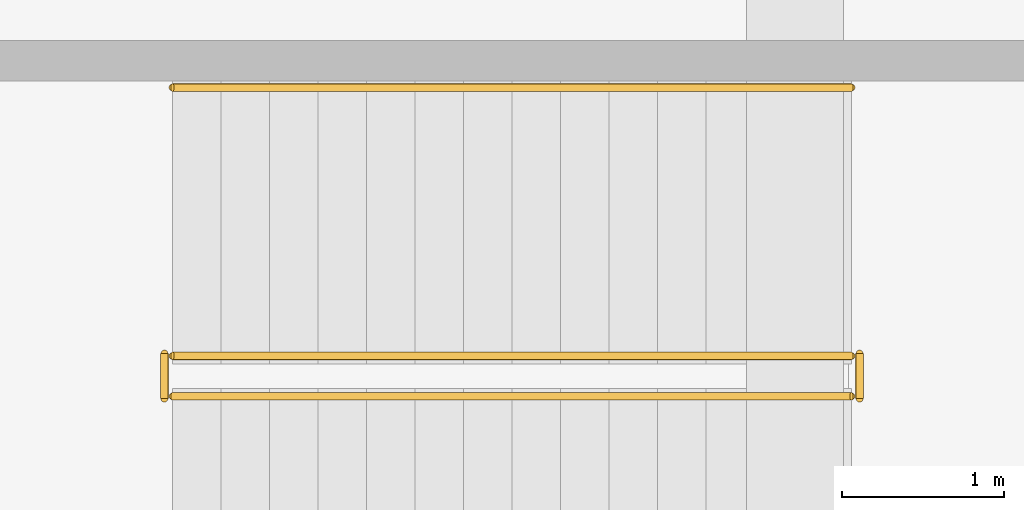
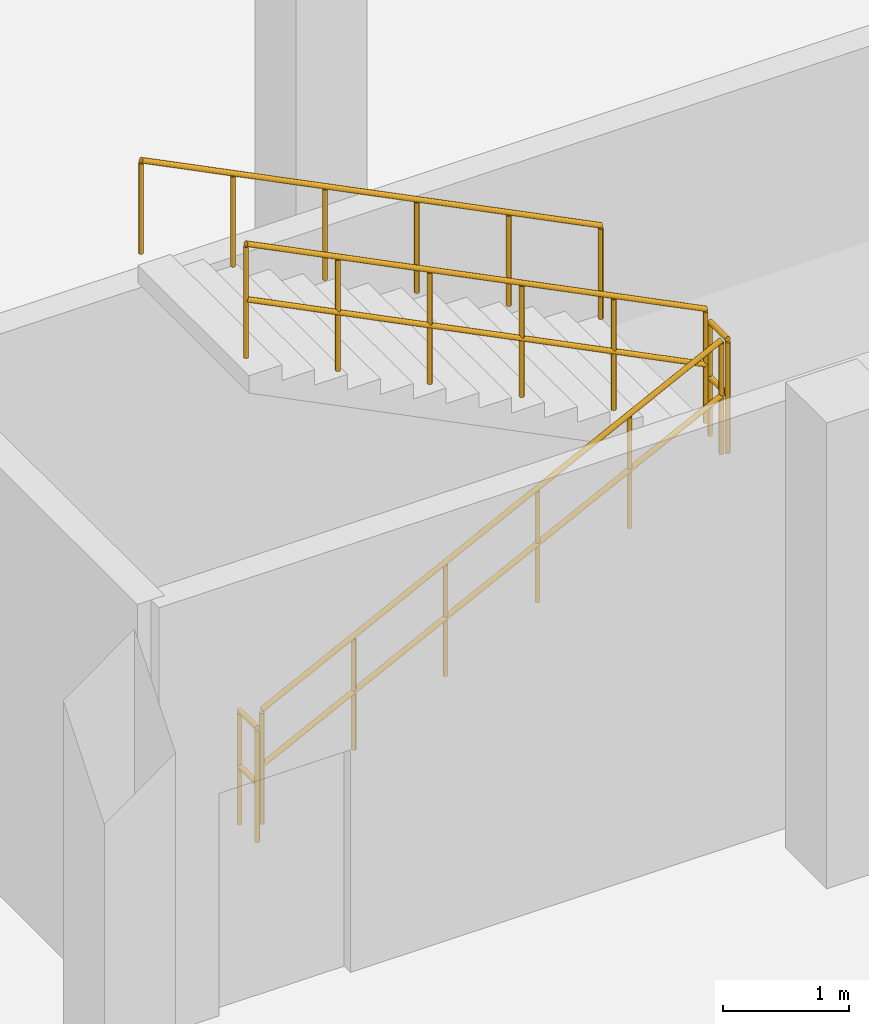
# One storey, part 34 of 35: 5 railings.
"""IFC4 building model written with IfcOpenShell, lengths in metres."""

from ifc_helpers import new_model, si_unit, direction, frame, origin, origin_2d, place, context, subcontext, project, spatial, circle, extrude, material, type_object, element, save


model = new_model("IFC4")

# Units and contexts
model_context = context("Model", 3, precision=1e-05, world=origin(), true_north=direction((0.0, 1.0)))
body_context = subcontext(model_context, "Body", "Model", "MODEL_VIEW")
ifc_project = project(units=[si_unit("LENGTHUNIT", "METRE"), si_unit("AREAUNIT", "SQUARE_METRE"), si_unit("VOLUMEUNIT", "CUBIC_METRE"), si_unit("PLANEANGLEUNIT", "RADIAN"), si_unit("MASSUNIT", "GRAM", prefix="KILO")], contexts=[model_context])

# Site, building, storey
site_placement = place(None, origin())
site = spatial("IfcSite", under=ifc_project, at=site_placement, CompositionType="ELEMENT")
building_placement = place(site_placement, origin())
building = spatial("IfcBuilding", under=site, at=building_placement, Name="Kalluvel Institute of Natural Sciences", CompositionType="ELEMENT")
storey_placement = place(building_placement, frame((0.0, 0.0, -4.5)))
storey = spatial("IfcBuildingStorey", under=building, at=storey_placement, Name="B1", CompositionType="ELEMENT", Elevation=-4.5)

# Railings
ifc_material = material(Name="Galvanized Fire-Rated Steel", Category="steel")
railing_type_1 = type_object("IfcRailingType", Name="RL-GD-STAIR", PredefinedType="BALUSTRADE", material=ifc_material)
railing_1_placement = place(storey_placement, frame((151.75, 113.7099609375, 0.14990234375)))
element("IfcRailing", 1, at=railing_1_placement, inside=storey, type_object=railing_type_1, Name="B1 ST5 stair guard 1", PredefinedType="BALUSTRADE", context=body_context, shape_type="SweptSolid", body=[
    extrude(circle(Radius=0.02392578125, at=origin_2d()), frame((0.0, 0.0, 1.09619140625), z_axis=(0.894416792377, 0.0, 0.447234392142), x_axis=(0.0, 1.0, 0.0)), (0.0, 0.0, 1.0), 4.69580078125),
    extrude(circle(Radius=0.02392578125, at=origin_2d()), frame((0.0, 0.0, 0.56005859375), z_axis=(0.894416792377, 0.0, 0.447234392142), x_axis=(0.0, 1.0, 0.0)), (0.0, 0.0, 1.0), 4.69580078125),
    extrude(circle(Radius=0.02099609375, at=origin_2d()), origin(), (0.0, 0.0, 1.0), 1.072021484375),
    extrude(circle(Radius=0.02099609375, at=origin_2d()), frame((0.840087890625, 0.0, 0.419921875)), (0.0, 0.0, 1.0), 1.072021484375),
    extrude(circle(Radius=0.02099609375, at=origin_2d()), frame((1.679931640625, 0.0, 0.840087890625)), (0.0, 0.0, 1.0), 1.072021484375),
    extrude(circle(Radius=0.02099609375, at=origin_2d()), frame((2.52001953125, 0.0, 1.260009765625)), (0.0, 0.0, 1.0), 1.072021484375),
    extrude(circle(Radius=0.02099609375, at=origin_2d()), frame((3.35986328125, 0.0, 1.68017578125)), (0.0, 0.0, 1.0), 1.072021484375),
    extrude(circle(Radius=0.02099609375, at=origin_2d()), frame((4.199951171875, 0.0, 2.10009765625)), (0.0, 0.0, 1.0), 1.072021484375),
])
railing_2_placement = place(storey_placement, frame((156.0, 113.695068359375, 2.25)))
element("IfcRailing", 2, at=railing_2_placement, inside=storey, type_object=railing_type_1, Name="B1 ST5 stair guard 2", PredefinedType="BALUSTRADE", context=body_context, shape_type="SweptSolid", body=[
    extrude(circle(Radius=0.02392578125, at=origin_2d()), frame((0.0, 0.0, 1.09619140625), z_axis=(0.0, 1.0, 0.0), x_axis=(-1.0, 0.0, 0.0)), (0.0, 0.0, 1.0), 0.280029296875),
    extrude(circle(Radius=0.02392578125, at=origin_2d()), frame((0.0, 0.0, 0.56005859375), z_axis=(0.0, 1.0, 0.0), x_axis=(-1.0, 0.0, 0.0)), (0.0, 0.0, 1.0), 0.280029296875),
    extrude(circle(Radius=0.02099609375, at=origin_2d()), origin(), (0.0, 0.0, 1.0), 1.072021484375),
    extrude(circle(Radius=0.02099609375, at=origin_2d()), frame((0.0, 0.280029296875, 0.0)), (0.0, 0.0, 1.0), 1.072021484375),
])
railing_3_placement = place(storey_placement, frame((155.949951171875, 113.9599609375, 2.39990234375)))
element("IfcRailing", 3, at=railing_3_placement, inside=storey, type_object=railing_type_1, Name="B1 ST5 stair guard 3", PredefinedType="BALUSTRADE", context=body_context, shape_type="SweptSolid", body=[
    extrude(circle(Radius=0.02392578125, at=origin_2d()), frame((0.0, 0.0, 1.09619140625), z_axis=(-0.894416792377, 0.0, 0.447234392142), x_axis=(0.0, -1.0, 0.0)), (0.0, 0.0, 1.0), 4.69580078125),
    extrude(circle(Radius=0.02392578125, at=origin_2d()), frame((0.0, 0.0, 0.56005859375), z_axis=(-0.894416792377, 0.0, 0.447234392142), x_axis=(0.0, -1.0, 0.0)), (0.0, 0.0, 1.0), 4.69580078125),
    extrude(circle(Radius=0.02099609375, at=origin_2d()), origin(), (0.0, 0.0, 1.0), 1.072021484375),
    extrude(circle(Radius=0.02099609375, at=origin_2d()), frame((-0.840087890625, 0.0, 0.419921875)), (0.0, 0.0, 1.0), 1.072021484375),
    extrude(circle(Radius=0.02099609375, at=origin_2d()), frame((-1.679931640625, 0.0, 0.840087890625)), (0.0, 0.0, 1.0), 1.072021484375),
    extrude(circle(Radius=0.02099609375, at=origin_2d()), frame((-2.52001953125, 0.0, 1.260009765625)), (0.0, 0.0, 1.0), 1.072021484375),
    extrude(circle(Radius=0.02099609375, at=origin_2d()), frame((-3.35986328125, 0.0, 1.68017578125)), (0.0, 0.0, 1.0), 1.072021484375),
    extrude(circle(Radius=0.02099609375, at=origin_2d()), frame((-4.199951171875, 0.0, 2.10009765625)), (0.0, 0.0, 1.0), 1.072021484375),
])
railing_4_placement = place(storey_placement, frame((151.699951171875, 113.695068359375, 0.0)))
element("IfcRailing", 4, at=railing_4_placement, inside=storey, type_object=railing_type_1, Name="B1 ST5 stair guard 4", PredefinedType="BALUSTRADE", context=body_context, shape_type="SweptSolid", body=[
    extrude(circle(Radius=0.02392578125, at=origin_2d()), frame((0.0, 0.0, 1.09619140625), z_axis=(0.0, 1.0, 0.0), x_axis=(-1.0, 0.0, 0.0)), (0.0, 0.0, 1.0), 0.280029296875),
    extrude(circle(Radius=0.02392578125, at=origin_2d()), frame((0.0, 0.0, 0.56005859375), z_axis=(0.0, 1.0, 0.0), x_axis=(-1.0, 0.0, 0.0)), (0.0, 0.0, 1.0), 0.280029296875),
    extrude(circle(Radius=0.02099609375, at=origin_2d()), origin(), (0.0, 0.0, 1.0), 1.072021484375),
    extrude(circle(Radius=0.02099609375, at=origin_2d()), frame((0.0, 0.280029296875, 0.0)), (0.0, 0.0, 1.0), 1.072021484375),
])
railing_type_2 = type_object("IfcRailingType", Name="RL-HR-STAIR", PredefinedType="HANDRAIL", material=ifc_material)
railing_5_placement = place(storey_placement, frame((155.949951171875, 115.6201171875, 2.39990234375)))
element("IfcRailing", 5, at=railing_5_placement, inside=storey, type_object=railing_type_2, Name="B1 ST5 stair handrail 2", PredefinedType="HANDRAIL", context=body_context, shape_type="SweptSolid", body=[
    extrude(circle(Radius=0.02392578125, at=origin_2d()), frame((0.0, 0.0, 0.89599609375), z_axis=(-0.894416792377, 0.0, 0.447234392142), x_axis=(0.0, -1.0, 0.0)), (0.0, 0.0, 1.0), 4.69580078125),
    extrude(circle(Radius=0.02099609375, at=origin_2d()), origin(), (0.0, 0.0, 1.0), 0.871826171875),
    extrude(circle(Radius=0.02099609375, at=origin_2d()), frame((-0.840087890625, 0.0, 0.419921875)), (0.0, 0.0, 1.0), 0.871826171875),
    extrude(circle(Radius=0.02099609375, at=origin_2d()), frame((-1.679931640625, 0.0, 0.840087890625)), (0.0, 0.0, 1.0), 0.871826171875),
    extrude(circle(Radius=0.02099609375, at=origin_2d()), frame((-2.52001953125, 0.0, 1.260009765625)), (0.0, 0.0, 1.0), 0.871826171875),
    extrude(circle(Radius=0.02099609375, at=origin_2d()), frame((-3.35986328125, 0.0, 1.68017578125)), (0.0, 0.0, 1.0), 0.871826171875),
    extrude(circle(Radius=0.02099609375, at=origin_2d()), frame((-4.199951171875, 0.0, 2.10009765625)), (0.0, 0.0, 1.0), 0.871826171875),
])

save(model, "model.ifc")
